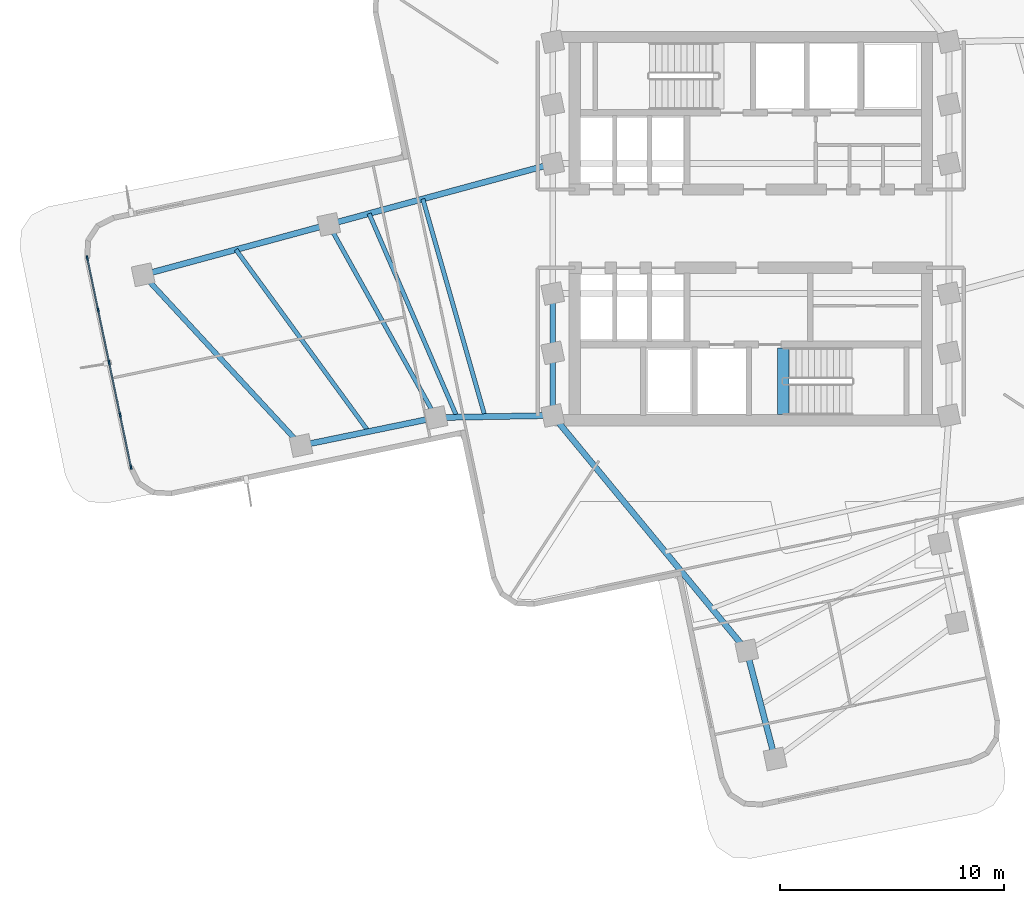
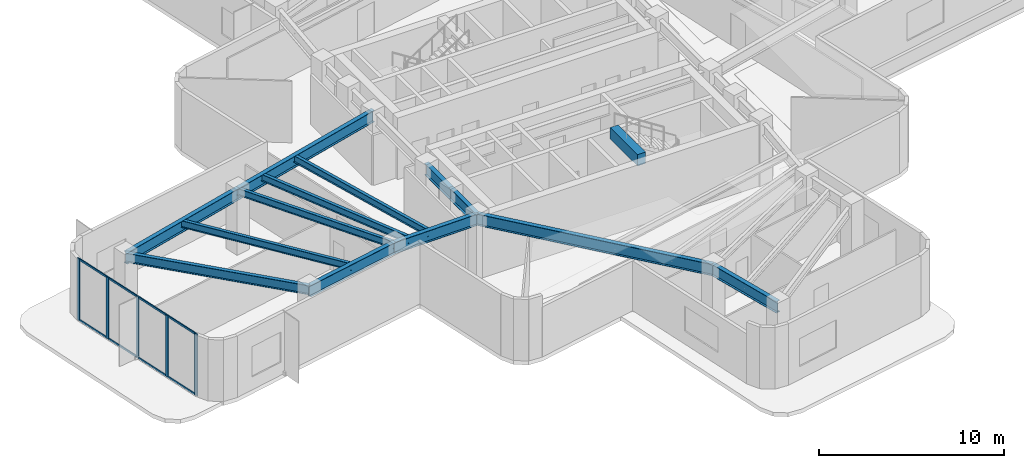
# One storey, part 2 of 12: 14 beams, 13 members, 1 element without a shape of its own.
"""IFC4 building model written with IfcOpenShell, lengths in metres."""

from ifc_helpers import new_model, si_unit, direction, frame, origin, origin_2d, place, context, subcontext, project, spatial, rectangle, i_section, extrude, material, layer, layer_set, material_profile, profile_set, type_object, element, aggregate, save


model = new_model("IFC4")

# Units and contexts
model_context = context("Model", 3, precision=1e-05, world=origin(), true_north=direction((0.0, 1.0)))
body_context = subcontext(model_context, "Body", "Model", "MODEL_VIEW")
ifc_project = project(units=[si_unit("LENGTHUNIT", "METRE"), si_unit("AREAUNIT", "SQUARE_METRE"), si_unit("VOLUMEUNIT", "CUBIC_METRE"), si_unit("PLANEANGLEUNIT", "RADIAN"), si_unit("MASSUNIT", "GRAM", prefix="KILO")], contexts=[model_context])

# Site, building, storey
site_placement = place(None, origin())
site = spatial("IfcSite", under=ifc_project, at=site_placement, CompositionType="ELEMENT")
building_placement = place(site_placement, origin())
building = spatial("IfcBuilding", under=site, at=building_placement, Name="Solmarez Civic Tower", CompositionType="ELEMENT")
storey_placement = place(building_placement, frame((0.0, 0.0, 111.9599609375)))
storey = spatial("IfcBuildingStorey", under=building, at=storey_placement, Name="L29", CompositionType="ELEMENT", Elevation=111.9599609375)

# Beams
ifc_material_1 = material(Name="Steel S355", Category="steel")
ifc_material_profile_1 = material_profile(ifc_material_1, i_section(OverallWidth=0.19189453125, OverallDepth=0.462890625, WebThickness=0.010498046875, FlangeThickness=0.017578125, at=origin_2d()), Name="W18X60")
ifc_profile_set_1 = profile_set([ifc_material_profile_1], Name="Steel S355")
beam_type_1 = type_object("IfcBeamType", Name="BM-JS-W18X60", PredefinedType="JOIST", material=ifc_profile_set_1)
beam_1_placement = place(storey_placement, frame((-18.860107421875, 0.18310546875, 3.828125), z_axis=(0.485852902718, -0.874040592261, 0.0), x_axis=(0.874040592261, 0.485852902718, 0.0)))
element("IfcBeam", 1, at=beam_1_placement, inside=storey, type_object=beam_type_1, Name="L29 Secondary Floor Joist BM-L29-WA-T1", PredefinedType="JOIST", context=body_context, shape_type="SweptSolid", body=[
    extrude(i_section(OverallWidth=0.19189453125, OverallDepth=0.462890625, WebThickness=0.010498046875, FlangeThickness=0.017578125, at=origin_2d()), origin(), (0.0, 0.0, 1.0), 9.87158203125),
])
beam_2_placement = place(storey_placement, frame((-23.006103515625, -0.94091796875, 3.828125), z_axis=(0.589058914091, -0.808090091345, 0.0), x_axis=(0.808090091345, 0.589058914091, 0.0)))
element("IfcBeam", 2, at=beam_2_placement, inside=storey, type_object=beam_type_1, Name="L29 Secondary Floor Joist JS-L29-WA-M2", PredefinedType="JOIST", context=body_context, shape_type="SweptSolid", body=[
    extrude(i_section(OverallWidth=0.19189453125, OverallDepth=0.462890625, WebThickness=0.010498046875, FlangeThickness=0.017578125, at=origin_2d()), origin(), (0.0, 0.0, 1.0), 10.05859375),
])
beam_3_placement = place(storey_placement, frame((-14.656005859375, 1.323974609375, 3.828125), z_axis=(0.27492825036, -0.961464745664, 0.0), x_axis=(0.961464745664, 0.27492825036, 0.0)))
element("IfcBeam", 3, at=beam_3_placement, inside=storey, type_object=beam_type_1, Name="L29 Secondary Floor Joist JS-L29-WA-M11", PredefinedType="JOIST", context=body_context, shape_type="SweptSolid", body=[
    extrude(i_section(OverallWidth=0.19189453125, OverallDepth=0.462890625, WebThickness=0.010498046875, FlangeThickness=0.017578125, at=origin_2d()), origin(), (0.0, 0.0, 1.0), 10.118896484375),
])
beam_4_placement = place(storey_placement, frame((-17.05810546875, 0.672119140625, 3.828125), z_axis=(0.396735074316, -0.917933157048, 0.0), x_axis=(0.917933157048, 0.396735074316, 0.0)))
element("IfcBeam", 4, at=beam_4_placement, inside=storey, type_object=beam_type_1, Name="L29 Secondary Floor Joist JS-L29-WA-M12", PredefinedType="JOIST", context=body_context, shape_type="SweptSolid", body=[
    extrude(i_section(OverallWidth=0.19189453125, OverallDepth=0.462890625, WebThickness=0.010498046875, FlangeThickness=0.017578125, at=origin_2d()), origin(), (0.0, 0.0, 1.0), 9.91357421875),
])
ifc_material_2 = material(Name="Concrete C50/60", Category="concrete")
ifc_material_profile_2 = material_profile(ifc_material_2, rectangle(XDim=0.5, YDim=0.75, at=origin_2d()), Name="RC500X750")
ifc_profile_set_2 = profile_set([ifc_material_profile_2], Name="Concrete C50/60")
beam_type_2 = type_object("IfcBeamType", Name="BM-PR-RC500X750", PredefinedType="BEAM", material=ifc_profile_set_2)
beam_5_placement = place(storey_placement, frame((1.449951171875, -8.300048828125, 3.953125), z_axis=(0.0, 1.0, 0.0), x_axis=(-1.0, 0.0, 0.0)))
element("IfcBeam", 5, at=beam_5_placement, inside=storey, type_object=beam_type_2, Name="L29 South Stair Threshold Beam", PredefinedType="BEAM", context=body_context, shape_type="SweptSolid", body=[
    extrude(rectangle(XDim=0.5, YDim=0.75, at=origin_2d()), origin(), (0.0, 0.0, 1.0), 2.9599609375),
])
ifc_material_profile_3 = material_profile(ifc_material_1, i_section(OverallWidth=0.26708984375, OverallDepth=0.761962890625, WebThickness=0.014404296875, FlangeThickness=0.021484375, at=origin_2d()), Name="W30X116")
ifc_profile_set_3 = profile_set([ifc_material_profile_3], Name="Steel S355")
beam_type_3 = type_object("IfcBeamType", Name="BM-PR-W30X116", PredefinedType="BEAM", material=ifc_profile_set_3)
beam_6_placement = place(storey_placement, frame((-8.85009765625, -8.35009765625, 3.678955078125), z_axis=(0.0, 1.0, 0.0), x_axis=(-1.0, 0.0, 0.0)))
element("IfcBeam", 6, at=beam_6_placement, inside=storey, type_object=beam_type_3, Name="L29 Primary Floor Beam BM-L29-HC12-HC1", PredefinedType="BEAM", context=body_context, shape_type="SweptSolid", body=[
    extrude(i_section(OverallWidth=0.26708984375, OverallDepth=0.761962890625, WebThickness=0.014404296875, FlangeThickness=0.021484375, at=origin_2d()), origin(), (0.0, 0.0, 1.0), 2.800048828125),
])
beam_7_placement = place(storey_placement, frame((-8.85009765625, -5.550048828125, 3.678955078125), z_axis=(0.0, 1.0, 0.0), x_axis=(-1.0, 0.0, 0.0)))
element("IfcBeam", 7, at=beam_7_placement, inside=storey, type_object=beam_type_3, Name="L29 Primary Floor Beam BM-L29-HC1-HC2", PredefinedType="BEAM", context=body_context, shape_type="SweptSolid", body=[
    extrude(i_section(OverallWidth=0.26708984375, OverallDepth=0.761962890625, WebThickness=0.014404296875, FlangeThickness=0.021484375, at=origin_2d()), origin(), (0.0, 0.0, 1.0), 2.650146484375),
])
beam_8_placement = place(storey_placement, frame((-8.85009765625, 2.89990234375, 3.678955078125), z_axis=(-0.965086289853, -0.261932153691, 0.0), x_axis=(0.261932153691, -0.965086289853, 0.0)))
element("IfcBeam", 8, at=beam_8_placement, inside=storey, type_object=beam_type_3, Name="L29 Primary Floor Beam BM-L29-WA-R1A", PredefinedType="BEAM", context=body_context, shape_type="SweptSolid", body=[
    extrude(i_section(OverallWidth=0.26708984375, OverallDepth=0.761962890625, WebThickness=0.014404296875, FlangeThickness=0.021484375, at=origin_2d()), origin(), (0.0, 0.0, 1.0), 10.3720703125),
])
beam_9_placement = place(storey_placement, frame((-8.85009765625, -8.35009765625, 3.678955078125), z_axis=(-0.999834147765, -0.018212000538, 0.0), x_axis=(0.018212000538, -0.999834147765, 0.0)))
element("IfcBeam", 9, at=beam_9_placement, inside=storey, type_object=beam_type_3, Name="L29 Primary Floor Beam BM-L29-WA-R1B", PredefinedType="BEAM", context=body_context, shape_type="SweptSolid", body=[
    extrude(i_section(OverallWidth=0.26708984375, OverallDepth=0.761962890625, WebThickness=0.014404296875, FlangeThickness=0.021484375, at=origin_2d()), origin(), (0.0, 0.0, 1.0), 5.21484375),
])
beam_10_placement = place(storey_placement, frame((-18.860107421875, 0.18310546875, 3.678955078125), z_axis=(-0.965195296066, -0.261530190326, 0.0), x_axis=(0.261530190326, -0.965195296066, 0.0)))
element("IfcBeam", 10, at=beam_10_placement, inside=storey, type_object=beam_type_3, Name="L29 Primary Floor Beam BM-L29-WA-R2A", PredefinedType="BEAM", context=body_context, shape_type="SweptSolid", body=[
    extrude(i_section(OverallWidth=0.26708984375, OverallDepth=0.761962890625, WebThickness=0.014404296875, FlangeThickness=0.021484375, at=origin_2d()), origin(), (0.0, 0.0, 1.0), 8.592041015625),
])
beam_11_placement = place(storey_placement, frame((-14.06396484375, -8.445068359375, 3.678955078125), z_axis=(-0.979311082476, -0.202360578523, 0.0), x_axis=(0.202360578523, -0.979311082476, 0.0)))
element("IfcBeam", 11, at=beam_11_placement, inside=storey, type_object=beam_type_3, Name="L29 Primary Floor Beam BM-L29-WA-R2B", PredefinedType="BEAM", context=body_context, shape_type="SweptSolid", body=[
    extrude(i_section(OverallWidth=0.26708984375, OverallDepth=0.761962890625, WebThickness=0.014404296875, FlangeThickness=0.021484375, at=origin_2d()), origin(), (0.0, 0.0, 1.0), 6.161376953125),
])
beam_12_placement = place(storey_placement, frame((-8.85009765625, -8.35009765625, 3.678955078125), z_axis=(0.636218453069, -0.77150896299, 0.0), x_axis=(0.77150896299, 0.636218453069, 0.0)))
element("IfcBeam", 12, at=beam_12_placement, inside=storey, type_object=beam_type_3, Name="L29 Primary Floor Beam BM-L29-SA-R1A", PredefinedType="BEAM", context=body_context, shape_type="SweptSolid", body=[
    extrude(i_section(OverallWidth=0.26708984375, OverallDepth=0.761962890625, WebThickness=0.014404296875, FlangeThickness=0.021484375, at=origin_2d()), origin(), (0.0, 0.0, 1.0), 13.62255859375),
])
beam_13_placement = place(storey_placement, frame((-0.18310546875, -18.860107421875, 3.678955078125), z_axis=(0.253228832632, -0.967406408043, 0.0), x_axis=(0.967406408043, 0.253228832632, 0.0)))
element("IfcBeam", 13, at=beam_13_placement, inside=storey, type_object=beam_type_3, Name="L29 Primary Floor Beam BM-L29-SA-R2A", PredefinedType="BEAM", context=body_context, shape_type="SweptSolid", body=[
    extrude(i_section(OverallWidth=0.26708984375, OverallDepth=0.761962890625, WebThickness=0.014404296875, FlangeThickness=0.021484375, at=origin_2d()), origin(), (0.0, 0.0, 1.0), 5.0),
])
ifc_material_profile_4 = material_profile(ifc_material_1, i_section(OverallWidth=0.22900390625, OverallDepth=0.612060546875, WebThickness=0.011962890625, FlangeThickness=0.01953125, at=origin_2d()), Name="W24X84")
ifc_profile_set_4 = profile_set([ifc_material_profile_4], Name="Steel S355")
beam_type_4 = type_object("IfcBeamType", Name="BM-SP-W24X84", PredefinedType="SPANDREL", material=ifc_profile_set_4)
beam_14_placement = place(storey_placement, frame((-27.153076171875, -2.06396484375, 3.754150390625), z_axis=(0.679007792344, -0.734131063187, 0.0), x_axis=(0.734131063187, 0.679007792344, 0.0)))
element("IfcBeam", 14, at=beam_14_placement, inside=storey, type_object=beam_type_4, Name="L29 Perimeter Spandrel Beam BM-L29-WA-T2", PredefinedType="SPANDREL", context=body_context, shape_type="SweptSolid", body=[
    extrude(i_section(OverallWidth=0.22900390625, OverallDepth=0.612060546875, WebThickness=0.011962890625, FlangeThickness=0.01953125, at=origin_2d()), origin(), (0.0, 0.0, 1.0), 10.390380859375),
])

# Curtain wall, members
ifc_material_3 = material(Name="Bronze Anodised Aluminium EN AW-6063 T6", Category="aluminium")
ifc_layer = layer(ifc_material_3, 0.2099609375)
ifc_layer_set = layer_set([ifc_layer], Name="Bronze Anodised Aluminium EN AW-6063 T6")
curtain_wall_type = type_object("IfcCurtainWallType", Name="CW-SYS-5", PredefinedType="NOTDEFINED", material=ifc_layer_set)
curtain_wall_placement = place(storey_placement, origin())
curtain_wall = element("IfcCurtainWall", 15, at=curtain_wall_placement, inside=storey, type_object=curtain_wall_type, Name="L29 Stick-Built Curtain Wall 1", PredefinedType="NOTDEFINED")
ifc_material_profile_5 = material_profile(ifc_material_3, rectangle(XDim=0.074951171875, YDim=0.199951171875, at=origin_2d()), Name="CWM-75X200")
ifc_profile_set_5 = profile_set([ifc_material_profile_5], Name="Bronze Anodised Aluminium EN AW-6063 T6")
member_type_1 = type_object("IfcMemberType", Name="CWM-TYPE-1", PredefinedType="MULLION", material=ifc_profile_set_5)
member_1_placement = place(storey_placement, frame((-27.694580078125, -10.661376953125, 0.0), z_axis=(0.0, 0.0, 1.0), x_axis=(-0.978853108427, -0.20456439603, 0.0)))
member_1 = element("IfcMember", 16, at=member_1_placement, type_object=member_type_1, Name="CWS5 mullion 1", PredefinedType="MULLION", context=body_context, shape_type="SweptSolid", body=[
    extrude(rectangle(XDim=0.074951171875, YDim=0.199951171875, at=origin_2d()), origin(), (0.0, 0.0, 1.0), 4.06005859375),
])
member_2_placement = place(storey_placement, frame((-28.178955078125, -8.34375, 0.0), z_axis=(0.0, 0.0, 1.0), x_axis=(-0.978853108427, -0.20456439603, 0.0)))
member_2 = element("IfcMember", 17, at=member_2_placement, type_object=member_type_1, Name="CWS5 mullion 2", PredefinedType="MULLION", context=body_context, shape_type="SweptSolid", body=[
    extrude(rectangle(XDim=0.074951171875, YDim=0.199951171875, at=origin_2d()), origin(), (0.0, 0.0, 1.0), 4.06005859375),
])
member_3_placement = place(storey_placement, frame((-28.6708984375, -5.989501953125, 0.0), z_axis=(0.0, 0.0, 1.0), x_axis=(-0.978853108427, -0.20456439603, 0.0)))
member_3 = element("IfcMember", 18, at=member_3_placement, type_object=member_type_1, Name="CWS5 mullion 3", PredefinedType="MULLION", context=body_context, shape_type="SweptSolid", body=[
    extrude(rectangle(XDim=0.074951171875, YDim=0.199951171875, at=origin_2d()), origin(), (0.0, 0.0, 1.0), 4.06005859375),
])
member_4_placement = place(storey_placement, frame((-29.1630859375, -3.63525390625, 0.0), z_axis=(0.0, 0.0, 1.0), x_axis=(-0.978853108427, -0.20456439603, 0.0)))
member_4 = element("IfcMember", 19, at=member_4_placement, type_object=member_type_1, Name="CWS5 mullion 4", PredefinedType="MULLION", context=body_context, shape_type="SweptSolid", body=[
    extrude(rectangle(XDim=0.074951171875, YDim=0.199951171875, at=origin_2d()), origin(), (0.0, 0.0, 1.0), 4.06005859375),
])
member_5_placement = place(storey_placement, frame((-29.647216796875, -1.317626953125, 0.0), z_axis=(0.0, 0.0, 1.0), x_axis=(-0.978853108427, -0.20456439603, 0.0)))
member_5 = element("IfcMember", 20, at=member_5_placement, type_object=member_type_1, Name="CWS5 mullion 5", PredefinedType="MULLION", context=body_context, shape_type="SweptSolid", body=[
    extrude(rectangle(XDim=0.074951171875, YDim=0.199951171875, at=origin_2d()), origin(), (0.0, 0.0, 1.0), 4.06005859375),
])
ifc_material_profile_6 = material_profile(ifc_material_3, rectangle(XDim=0.06494140625, YDim=0.125, at=origin_2d()), Name="CWT-65X125")
ifc_profile_set_6 = profile_set([ifc_material_profile_6], Name="Bronze Anodised Aluminium EN AW-6063 T6")
member_type_2 = type_object("IfcMemberType", Name="CWT-TYPE-2", PredefinedType="USERDEFINED", material=ifc_profile_set_6)
member_6_placement = place(storey_placement, frame((-27.702392578125, -10.62451171875, 0.032470703125), z_axis=(-0.204566573866, 0.978852653292, 0.0), x_axis=(-0.978852653292, -0.204566573866, 0.0)))
member_6 = element("IfcMember", 21, at=member_6_placement, type_object=member_type_2, Name="CWS5 transom 1.1", ObjectType="TRANSOM", PredefinedType="USERDEFINED", context=body_context, shape_type="SweptSolid", body=[
    extrude(rectangle(XDim=0.06494140625, YDim=0.125, at=origin_2d()), origin(), (0.0, 0.0, 1.0), 2.292724609375),
])
member_7_placement = place(storey_placement, frame((-27.702392578125, -10.62451171875, 4.027587890625), z_axis=(-0.204566573866, 0.978852653292, 0.0), x_axis=(-0.978852653292, -0.204566573866, 0.0)))
member_7 = element("IfcMember", 22, at=member_7_placement, type_object=member_type_2, Name="CWS5 transom 1.2", ObjectType="TRANSOM", PredefinedType="USERDEFINED", context=body_context, shape_type="SweptSolid", body=[
    extrude(rectangle(XDim=0.06494140625, YDim=0.125, at=origin_2d()), origin(), (0.0, 0.0, 1.0), 2.292724609375),
])
member_8_placement = place(storey_placement, frame((-28.186767578125, -8.30712890625, 0.032470703125), z_axis=(-0.204510669142, 0.978864334935, 0.0), x_axis=(-0.978864334935, -0.204510669142, 0.0)))
member_8 = element("IfcMember", 23, at=member_8_placement, type_object=member_type_2, Name="CWS5 transom 2.1", ObjectType="TRANSOM", PredefinedType="USERDEFINED", context=body_context, shape_type="SweptSolid", body=[
    extrude(rectangle(XDim=0.06494140625, YDim=0.125, at=origin_2d()), origin(), (0.0, 0.0, 1.0), 2.330322265625),
])
member_9_placement = place(storey_placement, frame((-28.186767578125, -8.30712890625, 4.027587890625), z_axis=(-0.204510669142, 0.978864334935, 0.0), x_axis=(-0.978864334935, -0.204510669142, 0.0)))
member_9 = element("IfcMember", 24, at=member_9_placement, type_object=member_type_2, Name="CWS5 transom 2.2", ObjectType="TRANSOM", PredefinedType="USERDEFINED", context=body_context, shape_type="SweptSolid", body=[
    extrude(rectangle(XDim=0.06494140625, YDim=0.125, at=origin_2d()), origin(), (0.0, 0.0, 1.0), 2.330322265625),
])
member_10_placement = place(storey_placement, frame((-28.6787109375, -5.952880859375, 0.032470703125), z_axis=(-0.204510669142, 0.978864334935, 0.0), x_axis=(-0.978864334935, -0.204510669142, 0.0)))
member_10 = element("IfcMember", 25, at=member_10_placement, type_object=member_type_2, Name="CWS5 transom 3.1", ObjectType="TRANSOM", PredefinedType="USERDEFINED", context=body_context, shape_type="SweptSolid", body=[
    extrude(rectangle(XDim=0.06494140625, YDim=0.125, at=origin_2d()), origin(), (0.0, 0.0, 1.0), 2.330322265625),
])
member_11_placement = place(storey_placement, frame((-28.6787109375, -5.952880859375, 4.027587890625), z_axis=(-0.204510669142, 0.978864334935, 0.0), x_axis=(-0.978864334935, -0.204510669142, 0.0)))
member_11 = element("IfcMember", 26, at=member_11_placement, type_object=member_type_2, Name="CWS5 transom 3.2", ObjectType="TRANSOM", PredefinedType="USERDEFINED", context=body_context, shape_type="SweptSolid", body=[
    extrude(rectangle(XDim=0.06494140625, YDim=0.125, at=origin_2d()), origin(), (0.0, 0.0, 1.0), 2.330322265625),
])
member_12_placement = place(storey_placement, frame((-29.170654296875, -3.5986328125, 0.032470703125), z_axis=(-0.204566573866, 0.978852653292, 0.0), x_axis=(-0.978852653292, -0.204566573866, 0.0)))
member_12 = element("IfcMember", 27, at=member_12_placement, type_object=member_type_2, Name="CWS5 transom 4.1", ObjectType="TRANSOM", PredefinedType="USERDEFINED", context=body_context, shape_type="SweptSolid", body=[
    extrude(rectangle(XDim=0.06494140625, YDim=0.125, at=origin_2d()), origin(), (0.0, 0.0, 1.0), 2.292724609375),
])
member_13_placement = place(storey_placement, frame((-29.170654296875, -3.5986328125, 4.027587890625), z_axis=(-0.204566573866, 0.978852653292, 0.0), x_axis=(-0.978852653292, -0.204566573866, 0.0)))
member_13 = element("IfcMember", 28, at=member_13_placement, type_object=member_type_2, Name="CWS5 transom 4.2", ObjectType="TRANSOM", PredefinedType="USERDEFINED", context=body_context, shape_type="SweptSolid", body=[
    extrude(rectangle(XDim=0.06494140625, YDim=0.125, at=origin_2d()), origin(), (0.0, 0.0, 1.0), 2.292724609375),
])
aggregate(curtain_wall, [member_1, member_2, member_3, member_4, member_5, member_6, member_7, member_8, member_9, member_10, member_11, member_12, member_13])

save(model, "model.ifc")
